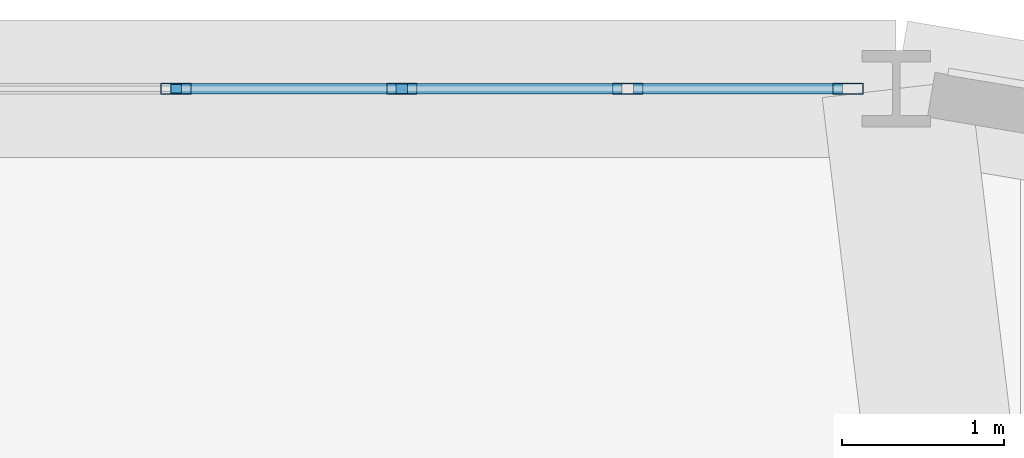
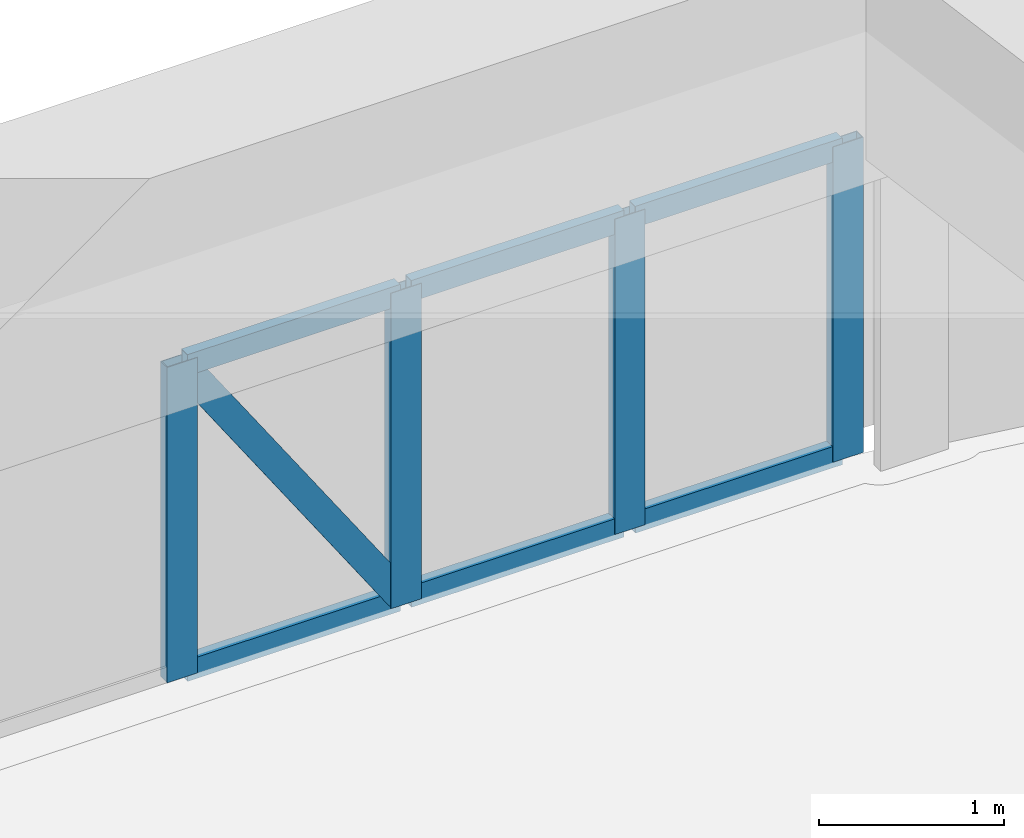
# One storey, part 13 of 20: 11 members, 1 element without a shape of its own.
"""IFC4 building model written with IfcOpenShell, lengths in metres."""

from ifc_helpers import new_model, si_unit, derived_unit, direction, frame, origin, origin_2d, place, context, subcontext, project, spatial, hollow_rectangle, extrude, source, transform, mapped, material, layer, layer_set, material_profile, profile_set, type_object, element, aggregate, save


model = new_model("IFC4")

# Units and contexts
model_context = context("Model", 3, precision=1e-05, world=origin(), true_north=direction((0.0, 1.0)))
body_context = subcontext(model_context, "Body", "Model", "MODEL_VIEW")
ifc_project = project(units=[si_unit("LENGTHUNIT", "METRE"), si_unit("AREAUNIT", "SQUARE_METRE"), si_unit("VOLUMEUNIT", "CUBIC_METRE"), si_unit("PLANEANGLEUNIT", "RADIAN"), si_unit("MASSUNIT", "GRAM", prefix="KILO"), derived_unit("THERMALTRANSMITTANCEUNIT", [(si_unit("POWERUNIT", "WATT"), 1), (si_unit("LENGTHUNIT", "METRE"), -2), (si_unit("THERMODYNAMICTEMPERATUREUNIT", "KELVIN"), -1)])], contexts=[model_context])

# Site, building, storey
site_placement = place(None, origin())
site = spatial("IfcSite", under=ifc_project, at=site_placement, CompositionType="ELEMENT")
building_placement = place(site_placement, origin())
building = spatial("IfcBuilding", under=site, at=building_placement, Name="Korsvarv Bourse and Concert Hall", CompositionType="ELEMENT")
storey_placement = place(building_placement, frame((0.0, 0.0, 35.699951171875)))
storey = spatial("IfcBuildingStorey", under=building, at=storey_placement, Name="L08", CompositionType="ELEMENT", Elevation=35.699951171875)

# Curtain wall, members
ifc_material_1 = material(Name="Anodised aluminium and triple low-E glazing", Category="glass")
ifc_layer = layer(ifc_material_1, 0.219970703125)
ifc_layer_set = layer_set([ifc_layer], Name="Anodised aluminium and triple low-E glazing")
curtain_wall_type = type_object("IfcCurtainWallType", Name="CW-SYS-1", PredefinedType="NOTDEFINED", material=ifc_layer_set)
curtain_wall_placement = place(storey_placement, origin())
curtain_wall = element("IfcCurtainWall", 1, at=curtain_wall_placement, inside=storey, type_object=curtain_wall_type, Name="L08 CW1 curtain wall CW-L08-F03", PredefinedType="NOTDEFINED")
ifc_material_2 = material(Name="Extruded aluminium EN AW-6063 T66", Category="aluminium")
ifc_material_profile_1 = material_profile(ifc_material_2, hollow_rectangle(XDim=0.070068359375, YDim=0.18994140625, WallThickness=0.0048828125, at=origin_2d()), Name="ALU-M 70x190")
ifc_profile_set_1 = profile_set([ifc_material_profile_1], Name="Extruded aluminium EN AW-6063 T66")
member_type_1 = type_object("IfcMemberType", Name="CWM-190", PredefinedType="MULLION", material=ifc_profile_set_1)
shared_shape_1 = source(origin(), body_context, "Body", "SweptSolid", [
    extrude(hollow_rectangle(XDim=0.070068359375, YDim=0.18994140625, WallThickness=0.0048828125, at=origin_2d()), origin(), (0.0, 0.0, 1.0), 2.080078125),
])
member_1_placement = place(storey_placement, frame((43.64404296875, 57.401611328125, 0.0), z_axis=(0.0, 0.0, 1.0), x_axis=(0.0, -1.0, 0.0)))
member_1 = element("IfcMember", 2, at=member_1_placement, type_object=member_type_1, Name="CW1 mullion 1", PredefinedType="MULLION", context=body_context, shape_type="MappedRepresentation", body=[
    mapped(shared_shape_1, transform((0.0, 0.0, 0.0), scale=1.0)),
])
member_2_placement = place(storey_placement, frame((42.282958984375, 57.401611328125, 0.0), z_axis=(0.0, 0.0, 1.0), x_axis=(0.0, -1.0, 0.0)))
member_2 = element("IfcMember", 3, at=member_2_placement, type_object=member_type_1, Name="CW1 mullion 2", PredefinedType="MULLION", context=body_context, shape_type="MappedRepresentation", body=[
    mapped(shared_shape_1, transform((0.0, 0.0, 0.0), scale=1.0)),
])
member_3_placement = place(storey_placement, frame((40.88671875, 57.401611328125, 0.0), z_axis=(0.0, 0.0, 1.0), x_axis=(0.0, -1.0, 0.0)))
member_3 = element("IfcMember", 4, at=member_3_placement, type_object=member_type_1, Name="CW1 mullion 3", PredefinedType="MULLION", context=body_context, shape_type="MappedRepresentation", body=[
    mapped(shared_shape_1, transform((0.0, 0.0, 0.0), scale=1.0)),
])
member_4_placement = place(storey_placement, frame((39.490478515625, 57.401611328125, 0.0), z_axis=(0.0, 0.0, 1.0), x_axis=(0.0, -1.0, 0.0)))
member_4 = element("IfcMember", 5, at=member_4_placement, type_object=member_type_1, Name="CW1 mullion 4", PredefinedType="MULLION", context=body_context, shape_type="MappedRepresentation", body=[
    mapped(shared_shape_1, transform((0.0, 0.0, 0.0), scale=1.0)),
])
ifc_material_profile_2 = material_profile(ifc_material_2, hollow_rectangle(XDim=0.06494140625, YDim=0.139892578125, WallThickness=0.00390625, at=origin_2d()), Name="ALU-T 65x140")
ifc_profile_set_2 = profile_set([ifc_material_profile_2], Name="Extruded aluminium EN AW-6063 T66")
member_type_2 = type_object("IfcMemberType", Name="CWT-140", PredefinedType="USERDEFINED", material=ifc_profile_set_2)
shared_shape_2 = source(origin(), body_context, "Body", "SweptSolid", [
    extrude(hollow_rectangle(XDim=0.06494140625, YDim=0.139892578125, WallThickness=0.00390625, at=origin_2d()), origin(), (0.0, 0.0, 1.0), 1.291259765625),
])
member_5_placement = place(storey_placement, frame((43.609130859375, 57.401611328125, 0.032470703125), z_axis=(-1.0, 0.0, 0.0), x_axis=(0.0, -1.0, 0.0)))
member_5 = element("IfcMember", 6, at=member_5_placement, type_object=member_type_2, Name="CW1 transom 1.1", ObjectType="TRANSOM", PredefinedType="USERDEFINED", context=body_context, shape_type="MappedRepresentation", body=[
    mapped(shared_shape_2, transform((0.0, 0.0, 0.0), scale=1.0)),
])
member_6_placement = place(storey_placement, frame((43.609130859375, 57.401611328125, 2.047607421875), z_axis=(-1.0, 0.0, 0.0), x_axis=(0.0, -1.0, 0.0)))
member_6 = element("IfcMember", 7, at=member_6_placement, type_object=member_type_2, Name="CW1 transom 1.2", ObjectType="TRANSOM", PredefinedType="USERDEFINED", context=body_context, shape_type="MappedRepresentation", body=[
    mapped(shared_shape_2, transform((0.0, 0.0, 0.0), scale=1.0)),
])
shared_shape_3 = source(origin(), body_context, "Body", "SweptSolid", [
    extrude(hollow_rectangle(XDim=0.06494140625, YDim=0.139892578125, WallThickness=0.00390625, at=origin_2d()), origin(), (0.0, 0.0, 1.0), 1.326171875),
])
member_7_placement = place(storey_placement, frame((42.247802734375, 57.401611328125, 0.032470703125), z_axis=(-1.0, 0.0, 0.0), x_axis=(0.0, -1.0, 0.0)))
member_7 = element("IfcMember", 8, at=member_7_placement, type_object=member_type_2, Name="CW1 transom 2.1", ObjectType="TRANSOM", PredefinedType="USERDEFINED", context=body_context, shape_type="MappedRepresentation", body=[
    mapped(shared_shape_3, transform((0.0, 0.0, 0.0), scale=1.0)),
])
member_8_placement = place(storey_placement, frame((42.247802734375, 57.401611328125, 2.047607421875), z_axis=(-1.0, 0.0, 0.0), x_axis=(0.0, -1.0, 0.0)))
member_8 = element("IfcMember", 9, at=member_8_placement, type_object=member_type_2, Name="CW1 transom 2.2", ObjectType="TRANSOM", PredefinedType="USERDEFINED", context=body_context, shape_type="MappedRepresentation", body=[
    mapped(shared_shape_3, transform((0.0, 0.0, 0.0), scale=1.0)),
])
shared_shape_4 = source(origin(), body_context, "Body", "SweptSolid", [
    extrude(hollow_rectangle(XDim=0.06494140625, YDim=0.139892578125, WallThickness=0.00390625, at=origin_2d()), origin(), (0.0, 0.0, 1.0), 1.326416015625),
])
member_9_placement = place(storey_placement, frame((40.851806640625, 57.401611328125, 0.032470703125), z_axis=(-1.0, 0.0, 0.0), x_axis=(0.0, -1.0, 0.0)))
member_9 = element("IfcMember", 10, at=member_9_placement, type_object=member_type_2, Name="CW1 transom 3.1", ObjectType="TRANSOM", PredefinedType="USERDEFINED", context=body_context, shape_type="MappedRepresentation", body=[
    mapped(shared_shape_4, transform((0.0, 0.0, 0.0), scale=1.0)),
])
member_10_placement = place(storey_placement, frame((40.851806640625, 57.401611328125, 2.047607421875), z_axis=(-1.0, 0.0, 0.0), x_axis=(0.0, -1.0, 0.0)))
member_10 = element("IfcMember", 11, at=member_10_placement, type_object=member_type_2, Name="CW1 transom 3.2", ObjectType="TRANSOM", PredefinedType="USERDEFINED", context=body_context, shape_type="MappedRepresentation", body=[
    mapped(shared_shape_4, transform((0.0, 0.0, 0.0), scale=1.0)),
])
ifc_material_profile_3 = material_profile(ifc_material_2, hollow_rectangle(XDim=0.06494140625, YDim=0.1650390625, WallThickness=0.0048828125, at=origin_2d()), Name="ALU-M 65x165")
ifc_profile_set_3 = profile_set([ifc_material_profile_3], Name="Extruded aluminium EN AW-6063 T66")
member_type_3 = type_object("IfcMemberType", Name="CWM-165", PredefinedType="MULLION", material=ifc_profile_set_3)
shared_shape_5 = source(origin(), body_context, "Body", "SweptSolid", [
    extrude(hollow_rectangle(XDim=0.06494140625, YDim=0.1650390625, WallThickness=0.0048828125, at=origin_2d()), origin(), (0.0, 0.0, 1.0), 2.358642578125),
])
member_11_placement = place(storey_placement, frame((40.851806640625, 57.401611328125, 0.06494140625), z_axis=(-0.562392127744, 0.0, 0.826870663799), x_axis=(0.0, -1.0, 0.0)))
member_11 = element("IfcMember", 12, at=member_11_placement, type_object=member_type_3, Name="CW1 diagonal mullion 3", PredefinedType="MULLION", context=body_context, shape_type="MappedRepresentation", body=[
    mapped(shared_shape_5, transform((0.0, 0.0, 0.0), scale=1.0)),
])
aggregate(curtain_wall, [member_1, member_2, member_3, member_4, member_5, member_6, member_7, member_8, member_9, member_10, member_11])

save(model, "model.ifc")
